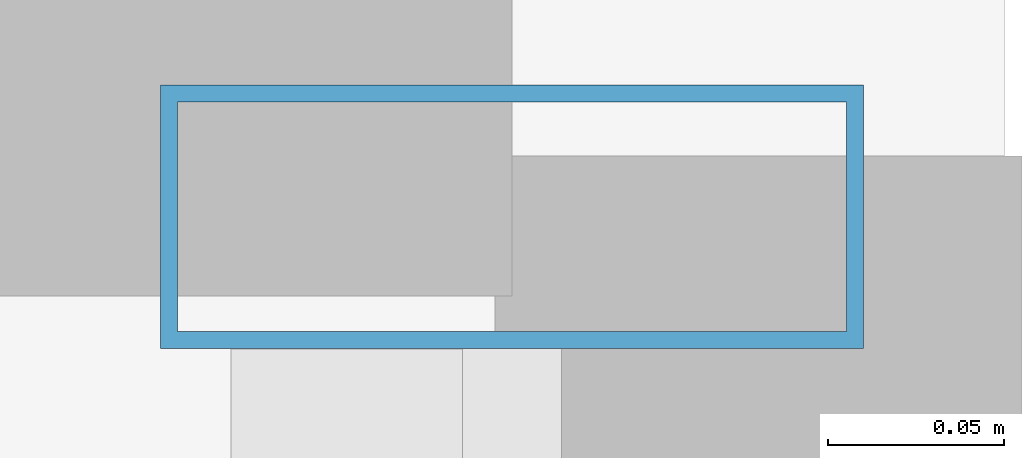
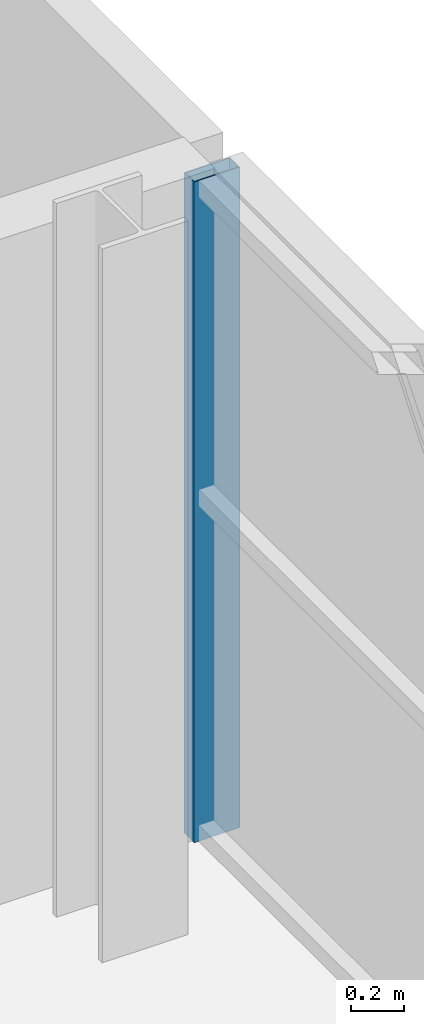
# One storey, part 13 of 23: 1 member, 1 element without a shape of its own.
"""IFC4 building model written with IfcOpenShell, lengths in metres."""

from ifc_helpers import new_model, si_unit, direction, frame, origin, origin_2d, place, context, subcontext, project, spatial, hollow_rectangle, extrude, source, transform, mapped, material, layer, layer_set, material_profile, profile_set, type_object, element, aggregate, save


model = new_model("IFC4")

# Units and contexts
model_context = context("Model", 3, precision=1e-05, world=origin(), true_north=direction((0.0, 1.0)))
body_context = subcontext(model_context, "Body", "Model", "MODEL_VIEW")
ifc_project = project(units=[si_unit("LENGTHUNIT", "METRE"), si_unit("AREAUNIT", "SQUARE_METRE"), si_unit("VOLUMEUNIT", "CUBIC_METRE"), si_unit("PLANEANGLEUNIT", "RADIAN"), si_unit("MASSUNIT", "GRAM", prefix="KILO")], contexts=[model_context])

# Site, building, storey
site_placement = place(None, origin())
site = spatial("IfcSite", under=ifc_project, at=site_placement, CompositionType="ELEMENT")
building_placement = place(site_placement, origin())
building = spatial("IfcBuilding", under=site, at=building_placement, Name="Zarnakvel Exchange Tower", CompositionType="ELEMENT")
storey_placement = place(building_placement, frame((0.0, 0.0, 232.0)))
storey = spatial("IfcBuildingStorey", under=building, at=storey_placement, Name="L65", CompositionType="ELEMENT", Elevation=232.0)

# Curtain wall, member
ifc_material = material(Name="Architectural Bronze Anodised Aluminium", Category="aluminium")
ifc_layer = layer(ifc_material, 0.199951171875)
ifc_layer_set = layer_set([ifc_layer], Name="Architectural Bronze Anodised Aluminium")
curtain_wall_type = type_object("IfcCurtainWallType", Name="CW-04", PredefinedType="NOTDEFINED", material=ifc_layer_set)
curtain_wall_placement = place(storey_placement, origin())
curtain_wall = element("IfcCurtainWall", 1, at=curtain_wall_placement, inside=storey, type_object=curtain_wall_type, Name="L65 Curtain Wall CW-L65-EN (CW-04)", PredefinedType="NOTDEFINED")
ifc_material_profile = material_profile(ifc_material, hollow_rectangle(XDim=0.199951171875, YDim=0.074951171875, WallThickness=0.0048828125, at=origin_2d()))
ifc_profile_set = profile_set([ifc_material_profile], Name="Architectural Bronze Anodised Aluminium")
member_type = type_object("IfcMemberType", Name="CWM-04", PredefinedType="MULLION", material=ifc_profile_set)
shared_shape = source(origin(), body_context, "Body", "SweptSolid", [
    extrude(hollow_rectangle(XDim=0.199951171875, YDim=0.074951171875, WallThickness=0.0048828125, at=origin_2d()), origin(), (0.0, 0.0, 1.0), 3.054931640625),
])
member_placement = place(storey_placement, frame((23.4599609375, 13.862548828125, 0.0), z_axis=(0.0, 0.0, 1.0), x_axis=(-1.0, 0.0, 0.0)))
member = element("IfcMember", 2, at=member_placement, type_object=member_type, Name="CW-04 mullion 3", PredefinedType="MULLION", context=body_context, shape_type="MappedRepresentation", body=[
    mapped(shared_shape, transform((0.0, 0.0, 0.0), x_axis=(1.0, 0.0, 0.0), y_axis=(0.0, 1.0, 0.0), z_axis=(0.0, 0.0, 1.0), scale=1.0)),
])
aggregate(curtain_wall, [member])

save(model, "model.ifc")
